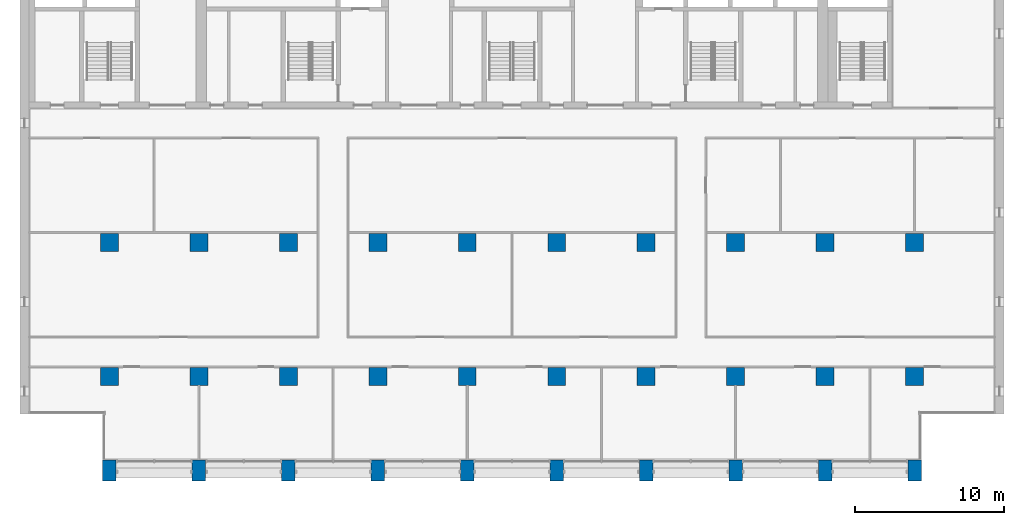
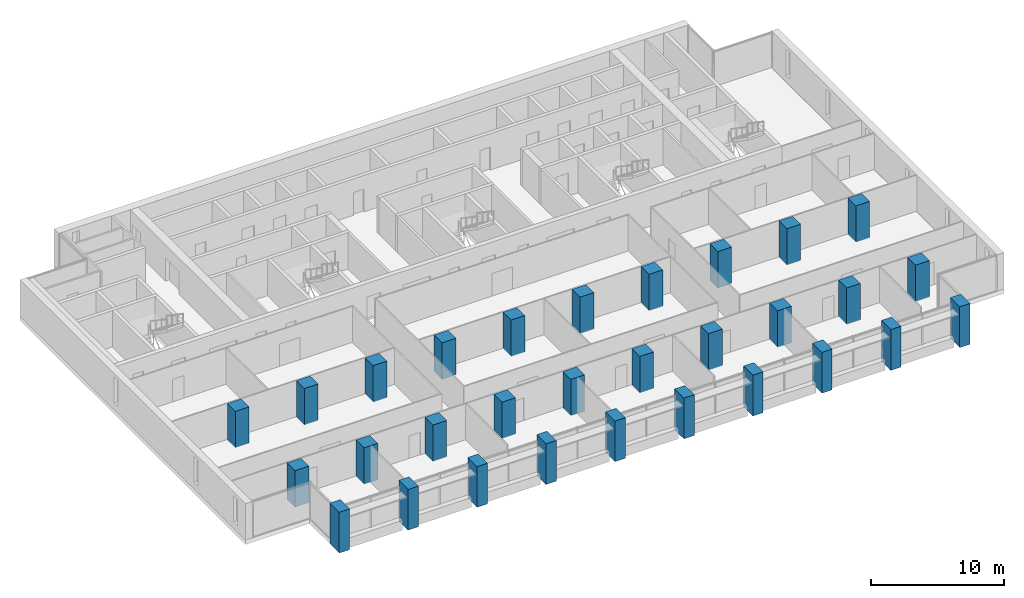
# One storey, part 1 of 17: 30 columns.
"""IFC4 building model written with IfcOpenShell, lengths in metres."""

from ifc_helpers import new_model, si_unit, direction, frame, origin, origin_2d, place, context, subcontext, project, spatial, rectangle, extrude, material, material_profile, profile_set, type_object, element, save


model = new_model("IFC4")

# Units and contexts
model_context = context("Model", 3, precision=1e-05, world=origin(), true_north=direction((0.0, 1.0)))
body_context = subcontext(model_context, "Body", "Model", "MODEL_VIEW")
ifc_project = project(units=[si_unit("LENGTHUNIT", "METRE"), si_unit("AREAUNIT", "SQUARE_METRE"), si_unit("VOLUMEUNIT", "CUBIC_METRE"), si_unit("PLANEANGLEUNIT", "RADIAN"), si_unit("MASSUNIT", "GRAM", prefix="KILO")], contexts=[model_context])

# Site, building, storey
site_placement = place(None, origin())
site = spatial("IfcSite", under=ifc_project, at=site_placement, CompositionType="ELEMENT")
building_placement = place(site_placement, origin())
building = spatial("IfcBuilding", under=site, at=building_placement, Name="Calvaro Tower", CompositionType="ELEMENT")
storey_placement = place(building_placement, frame((0.0, 0.0, 174.25)))
storey = spatial("IfcBuildingStorey", under=building, at=storey_placement, Name="L43", CompositionType="ELEMENT", Elevation=174.25)

# Columns
ifc_material_1 = material(Name="Concrete C50/60", Category="concrete")
ifc_material_profile_1 = material_profile(ifc_material_1, rectangle(XDim=1.199951171875, YDim=1.199951171875, at=origin_2d()), Name="RC 1200x1200")
ifc_profile_set_1 = profile_set([ifc_material_profile_1], Name="Concrete C50/60")
column_type_1 = type_object("IfcColumnType", Name="Column 1200x1200 C50/60", PredefinedType="COLUMN", material=ifc_profile_set_1)
for number, where, z_axis, x_axis, name in (
    (1, (12.0, 10.0, 0.0), (0.0, 0.0, 1.0), (1.0, 0.0, 0.0), "Column 3B"),
    (2, (12.0, 19.0, 0.0), (0.0, 0.0, 1.0), (1.0, 0.0, 0.0), "Column 3C"),
    (3, (18.0, 10.0, 0.0), (0.0, 0.0, 1.0), (1.0, 0.0, 0.0), "Column 4B"),
    (4, (18.0, 19.0, 0.0), (0.0, 0.0, 1.0), (1.0, 0.0, 0.0), "Column 4C"),
    (5, (24.0, 10.0, 0.0), (0.0, 0.0, 1.0), (1.0, 0.0, 0.0), "Column 5B"),
    (6, (24.0, 19.0, 0.0), (0.0, 0.0, 1.0), (1.0, 0.0, 0.0), "Column 5C"),
    (7, (30.0, 10.0, 0.0), (0.0, 0.0, 1.0), (1.0, 0.0, 0.0), "Column 6B"),
    (8, (30.0, 19.0, 0.0), (0.0, 0.0, 1.0), (1.0, 0.0, 0.0), "Column 6C"),
    (9, (36.0, 10.0, 0.0), (0.0, 0.0, 1.0), (1.0, 0.0, 0.0), "Column 7B"),
    (10, (36.0, 19.0, 0.0), (0.0, 0.0, 1.0), (1.0, 0.0, 0.0), "Column 7C"),
    (11, (42.0, 10.0, 0.0), (0.0, 0.0, 1.0), (1.0, 0.0, 0.0), "Column 8B"),
    (12, (42.0, 19.0, 0.0), (0.0, 0.0, 1.0), (1.0, 0.0, 0.0), "Column 8C"),
    (13, (48.0, 10.0, 0.0), (0.0, 0.0, 1.0), (1.0, 0.0, 0.0), "Column 9B"),
    (14, (48.0, 19.0, 0.0), (0.0, 0.0, 1.0), (1.0, 0.0, 0.0), "Column 9C"),
    (15, (54.0, 10.0, 0.0), (0.0, 0.0, 1.0), (1.0, 0.0, 0.0), "Column 10B"),
    (16, (54.0, 19.0, 0.0), (0.0, 0.0, 1.0), (1.0, 0.0, 0.0), "Column 10C"),
    (17, (60.0, 10.0, 0.0), (0.0, 0.0, 1.0), (1.0, 0.0, 0.0), "Column 11B"),
    (18, (60.0, 19.0, 0.0), (0.0, 0.0, 1.0), (1.0, 0.0, 0.0), "Column 11C"),
    (19, (66.0, 10.0, 0.0), (0.0, 0.0, 1.0), (1.0, 0.0, 0.0), "Column 12B"),
    (20, (66.0, 19.0, 0.0), (0.0, 0.0, 1.0), (1.0, 0.0, 0.0), "Column 12C"),
):
    element("IfcColumn", number, at=place(storey_placement, frame(where, z_axis=z_axis, x_axis=x_axis)), inside=storey, type_object=column_type_1, Name=name, PredefinedType="COLUMN", context=body_context, shape_type="SweptSolid", body=[
        extrude(rectangle(XDim=1.199951171875, YDim=1.199951171875, at=origin_2d()), origin(), (0.0, 0.0, 1.0), 3.35009765625),
    ])
ifc_material_2 = material(Name="Concrete C50/60", Category="concrete")
ifc_material_profile_2 = material_profile(ifc_material_2, rectangle(XDim=0.89990234375, YDim=1.39990234375, at=origin_2d()), Name="RC 900x1400")
ifc_profile_set_2 = profile_set([ifc_material_profile_2], Name="Concrete C50/60")
column_type_2 = type_object("IfcColumnType", Name="Pier 900x1400 C50/60", PredefinedType="COLUMN", material=ifc_profile_set_2)
for number, where, z_axis, x_axis, name in (
    (21, (12.0, 3.699951171875, -0.39990234375), (0.0, 0.0, 1.0), (1.0, 0.0, 0.0), "South pier 3"),
    (22, (18.0, 3.699951171875, -0.39990234375), (0.0, 0.0, 1.0), (1.0, 0.0, 0.0), "South pier 4"),
    (23, (24.0, 3.699951171875, -0.39990234375), (0.0, 0.0, 1.0), (1.0, 0.0, 0.0), "South pier 5"),
    (24, (30.0, 3.699951171875, -0.39990234375), (0.0, 0.0, 1.0), (1.0, 0.0, 0.0), "South pier 6"),
    (25, (36.0, 3.699951171875, -0.39990234375), (0.0, 0.0, 1.0), (1.0, 0.0, 0.0), "South pier 7"),
    (26, (42.0, 3.699951171875, -0.39990234375), (0.0, 0.0, 1.0), (1.0, 0.0, 0.0), "South pier 8"),
    (27, (48.0, 3.699951171875, -0.39990234375), (0.0, 0.0, 1.0), (1.0, 0.0, 0.0), "South pier 9"),
    (28, (54.0, 3.699951171875, -0.39990234375), (0.0, 0.0, 1.0), (1.0, 0.0, 0.0), "South pier 10"),
    (29, (60.0, 3.699951171875, -0.39990234375), (0.0, 0.0, 1.0), (1.0, 0.0, 0.0), "South pier 11"),
    (30, (66.0, 3.699951171875, -0.39990234375), (0.0, 0.0, 1.0), (1.0, 0.0, 0.0), "South pier 12"),
):
    element("IfcColumn", number, at=place(storey_placement, frame(where, z_axis=z_axis, x_axis=x_axis)), inside=storey, type_object=column_type_2, Name=name, PredefinedType="COLUMN", context=body_context, shape_type="SweptSolid", body=[
        extrude(rectangle(XDim=0.89990234375, YDim=1.39990234375, at=origin_2d()), origin(), (0.0, 0.0, 1.0), 3.75),
    ])

save(model, "model.ifc")
